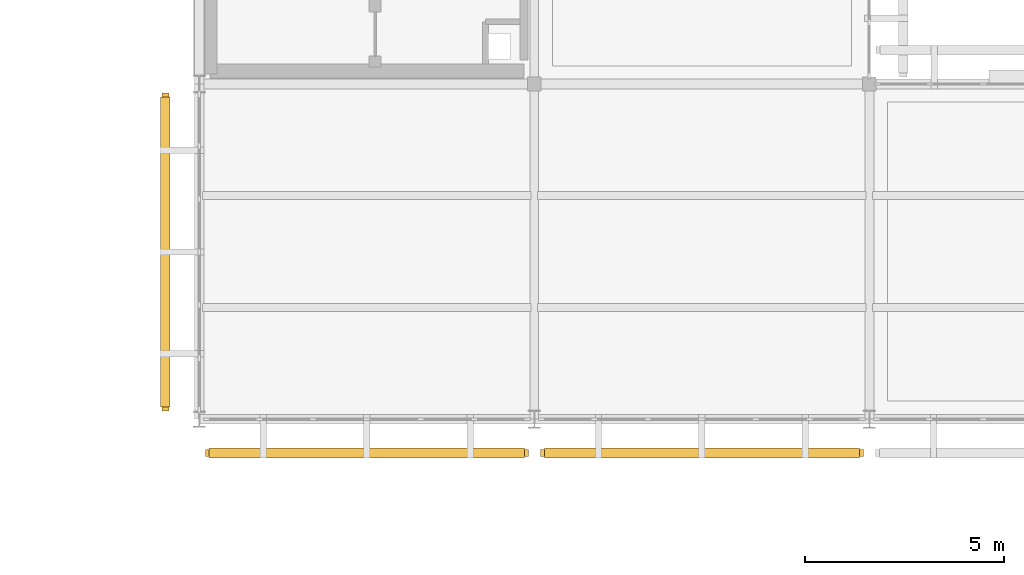
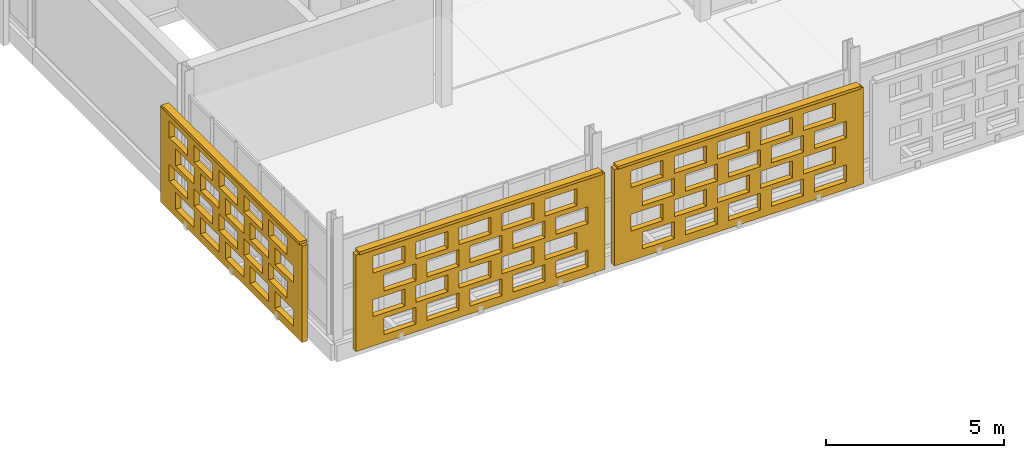
# One storey, part 109 of 140: 3 coverings, 3 shading devices, 60 openings.
"""IFC4 building model written with IfcOpenShell, lengths in metres."""

from ifc_helpers import new_model, si_unit, direction, frame, frame_2d, origin, origin_2d, place, context, subcontext, project, spatial, rectangle, extrude, material, layer, layer_set, type_object, element, save


model = new_model("IFC4")

# Units and contexts
model_context = context("Model", 3, precision=1e-05, world=origin(), true_north=direction((0.0, 1.0)))
body_context = subcontext(model_context, "Body", "Model", "MODEL_VIEW")
ifc_project = project(units=[si_unit("LENGTHUNIT", "METRE"), si_unit("AREAUNIT", "SQUARE_METRE"), si_unit("VOLUMEUNIT", "CUBIC_METRE"), si_unit("PLANEANGLEUNIT", "RADIAN"), si_unit("MASSUNIT", "GRAM", prefix="KILO")], contexts=[model_context])

# Site, building, storey
site_placement = place(None, origin())
site = spatial("IfcSite", under=ifc_project, at=site_placement, CompositionType="ELEMENT")
building_placement = place(site_placement, origin())
building = spatial("IfcBuilding", under=site, at=building_placement, Name="Varnapada Polytechnic", CompositionType="ELEMENT")
storey_placement = place(building_placement, frame((0.0, 0.0, 13.800048828125)))
storey = spatial("IfcBuildingStorey", under=building, at=storey_placement, Name="L03", CompositionType="ELEMENT", Elevation=13.800048828125)

# Covering, openings
ifc_material = material(Name="Earth-toned architectural terracotta screen block", Category="masonry")
ifc_layer_1 = layer(ifc_material, 0.1201171875)
ifc_layer_set_1 = layer_set([ifc_layer_1], Name="Earth-toned architectural terracotta screen block")
covering_type = type_object("IfcCoveringType", Name="Terracotta Screen Cladding CLD-01", PredefinedType="CLADDING", material=ifc_layer_set_1)
covering_1_placement = place(storey_placement, frame((58.64990234375, 83.14990234375, 0.0), z_axis=(0.0, 0.0, 1.0), x_axis=(-1.0, 0.0, 0.0)))
covering_1 = element("IfcCovering", 1, at=covering_1_placement, inside=storey, type_object=covering_type, Name="L03 perforated terracotta block screen (41)", PredefinedType="CLADDING", context=body_context, shape_type="SweptSolid", body=[
    extrude(rectangle(XDim=8.099853515625, YDim=0.179931640625, at=frame_2d((4.0498046875, 0.0))), origin(), (0.0, 0.0, 1.0), 3.320068359375),
])
opening_1_placement = place(covering_1_placement, frame((0.550048828125, 0.0, 0.265625)))
element("IfcOpeningElement", 2, at=opening_1_placement, cuts=covering_1, Name="Screen perforation TBS-L03-040.1", PredefinedType="OPENING", context=body_context, shape_type="SweptSolid", body=[
    extrude(rectangle(XDim=1.0400390625, YDim=0.5810546875, at=frame_2d((0.52001953125, 0.29052734375))), frame((0.0, 0.099853515625, 0.0), z_axis=(0.0, -1.0, 0.0), x_axis=(1.0, 0.0, 0.0)), (0.0, 0.0, 1.0), 0.199951171875),
])
opening_2_placement = place(covering_1_placement, frame((1.949951171875, 0.0, 0.265625)))
element("IfcOpeningElement", 3, at=opening_2_placement, cuts=covering_1, Name="Screen perforation TBS-L03-040.2", PredefinedType="OPENING", context=body_context, shape_type="SweptSolid", body=[
    extrude(rectangle(XDim=1.0400390625, YDim=0.5810546875, at=frame_2d((0.52001953125, 0.29052734375))), frame((0.0, 0.099853515625, 0.0), z_axis=(0.0, -1.0, 0.0), x_axis=(1.0, 0.0, 0.0)), (0.0, 0.0, 1.0), 0.199951171875),
])
opening_3_placement = place(covering_1_placement, frame((3.35009765625, 0.0, 0.265625)))
element("IfcOpeningElement", 4, at=opening_3_placement, cuts=covering_1, Name="Screen perforation TBS-L03-040.3", PredefinedType="OPENING", context=body_context, shape_type="SweptSolid", body=[
    extrude(rectangle(XDim=1.0400390625, YDim=0.5810546875, at=frame_2d((0.52001953125, 0.29052734375))), frame((0.0, 0.099853515625, 0.0), z_axis=(0.0, -1.0, 0.0), x_axis=(1.0, 0.0, 0.0)), (0.0, 0.0, 1.0), 0.199951171875),
])
opening_4_placement = place(covering_1_placement, frame((4.75, 0.0, 0.265625)))
element("IfcOpeningElement", 5, at=opening_4_placement, cuts=covering_1, Name="Screen perforation TBS-L03-040.4", PredefinedType="OPENING", context=body_context, shape_type="SweptSolid", body=[
    extrude(rectangle(XDim=1.0400390625, YDim=0.5810546875, at=frame_2d((0.52001953125, 0.29052734375))), frame((0.0, 0.099853515625, 0.0), z_axis=(0.0, -1.0, 0.0), x_axis=(1.0, 0.0, 0.0)), (0.0, 0.0, 1.0), 0.199951171875),
])
opening_5_placement = place(covering_1_placement, frame((6.14990234375, 0.0, 0.265625)))
element("IfcOpeningElement", 6, at=opening_5_placement, cuts=covering_1, Name="Screen perforation TBS-L03-040.5", PredefinedType="OPENING", context=body_context, shape_type="SweptSolid", body=[
    extrude(rectangle(XDim=1.0400390625, YDim=0.5810546875, at=frame_2d((0.52001953125, 0.29052734375))), frame((0.0, 0.099853515625, 0.0), z_axis=(0.0, -1.0, 0.0), x_axis=(1.0, 0.0, 0.0)), (0.0, 0.0, 1.0), 0.199951171875),
])
opening_6_placement = place(covering_1_placement, frame((0.909912109375, 0.0, 1.0126953125)))
element("IfcOpeningElement", 7, at=opening_6_placement, cuts=covering_1, Name="Screen perforation TBS-L03-040.6", PredefinedType="OPENING", context=body_context, shape_type="SweptSolid", body=[
    extrude(rectangle(XDim=1.0400390625, YDim=0.5810546875, at=frame_2d((0.52001953125, 0.29052734375))), frame((0.0, 0.099853515625, 0.0), z_axis=(0.0, -1.0, 0.0), x_axis=(1.0, 0.0, 0.0)), (0.0, 0.0, 1.0), 0.199951171875),
])
opening_7_placement = place(covering_1_placement, frame((2.31005859375, 0.0, 1.0126953125)))
element("IfcOpeningElement", 8, at=opening_7_placement, cuts=covering_1, Name="Screen perforation TBS-L03-040.7", PredefinedType="OPENING", context=body_context, shape_type="SweptSolid", body=[
    extrude(rectangle(XDim=1.0400390625, YDim=0.5810546875, at=frame_2d((0.52001953125, 0.29052734375))), frame((0.0, 0.099853515625, 0.0), z_axis=(0.0, -1.0, 0.0), x_axis=(1.0, 0.0, 0.0)), (0.0, 0.0, 1.0), 0.199951171875),
])
opening_8_placement = place(covering_1_placement, frame((3.7099609375, 0.0, 1.0126953125)))
element("IfcOpeningElement", 9, at=opening_8_placement, cuts=covering_1, Name="Screen perforation TBS-L03-040.8", PredefinedType="OPENING", context=body_context, shape_type="SweptSolid", body=[
    extrude(rectangle(XDim=1.0400390625, YDim=0.5810546875, at=frame_2d((0.52001953125, 0.29052734375))), frame((0.0, 0.099853515625, 0.0), z_axis=(0.0, -1.0, 0.0), x_axis=(1.0, 0.0, 0.0)), (0.0, 0.0, 1.0), 0.199951171875),
])
opening_9_placement = place(covering_1_placement, frame((5.110107421875, 0.0, 1.0126953125)))
element("IfcOpeningElement", 10, at=opening_9_placement, cuts=covering_1, Name="Screen perforation TBS-L03-040.9", PredefinedType="OPENING", context=body_context, shape_type="SweptSolid", body=[
    extrude(rectangle(XDim=1.0400390625, YDim=0.5810546875, at=frame_2d((0.52001953125, 0.29052734375))), frame((0.0, 0.099853515625, 0.0), z_axis=(0.0, -1.0, 0.0), x_axis=(1.0, 0.0, 0.0)), (0.0, 0.0, 1.0), 0.199951171875),
])
opening_10_placement = place(covering_1_placement, frame((6.510009765625, 0.0, 1.0126953125)))
element("IfcOpeningElement", 11, at=opening_10_placement, cuts=covering_1, Name="Screen perforation TBS-L03-040.10", PredefinedType="OPENING", context=body_context, shape_type="SweptSolid", body=[
    extrude(rectangle(XDim=1.0400390625, YDim=0.5810546875, at=frame_2d((0.52001953125, 0.29052734375))), frame((0.0, 0.099853515625, 0.0), z_axis=(0.0, -1.0, 0.0), x_axis=(1.0, 0.0, 0.0)), (0.0, 0.0, 1.0), 0.199951171875),
])
opening_11_placement = place(covering_1_placement, frame((0.550048828125, 0.0, 1.759521484375)))
element("IfcOpeningElement", 12, at=opening_11_placement, cuts=covering_1, Name="Screen perforation TBS-L03-040.11", PredefinedType="OPENING", context=body_context, shape_type="SweptSolid", body=[
    extrude(rectangle(XDim=1.0400390625, YDim=0.5810546875, at=frame_2d((0.52001953125, 0.29052734375))), frame((0.0, 0.099853515625, 0.0), z_axis=(0.0, -1.0, 0.0), x_axis=(1.0, 0.0, 0.0)), (0.0, 0.0, 1.0), 0.199951171875),
])
opening_12_placement = place(covering_1_placement, frame((1.949951171875, 0.0, 1.759521484375)))
element("IfcOpeningElement", 13, at=opening_12_placement, cuts=covering_1, Name="Screen perforation TBS-L03-040.12", PredefinedType="OPENING", context=body_context, shape_type="SweptSolid", body=[
    extrude(rectangle(XDim=1.0400390625, YDim=0.5810546875, at=frame_2d((0.52001953125, 0.29052734375))), frame((0.0, 0.099853515625, 0.0), z_axis=(0.0, -1.0, 0.0), x_axis=(1.0, 0.0, 0.0)), (0.0, 0.0, 1.0), 0.199951171875),
])
opening_13_placement = place(covering_1_placement, frame((3.35009765625, 0.0, 1.759521484375)))
element("IfcOpeningElement", 14, at=opening_13_placement, cuts=covering_1, Name="Screen perforation TBS-L03-040.13", PredefinedType="OPENING", context=body_context, shape_type="SweptSolid", body=[
    extrude(rectangle(XDim=1.0400390625, YDim=0.5810546875, at=frame_2d((0.52001953125, 0.29052734375))), frame((0.0, 0.099853515625, 0.0), z_axis=(0.0, -1.0, 0.0), x_axis=(1.0, 0.0, 0.0)), (0.0, 0.0, 1.0), 0.199951171875),
])
opening_14_placement = place(covering_1_placement, frame((4.75, 0.0, 1.759521484375)))
element("IfcOpeningElement", 15, at=opening_14_placement, cuts=covering_1, Name="Screen perforation TBS-L03-040.14", PredefinedType="OPENING", context=body_context, shape_type="SweptSolid", body=[
    extrude(rectangle(XDim=1.0400390625, YDim=0.5810546875, at=frame_2d((0.52001953125, 0.29052734375))), frame((0.0, 0.099853515625, 0.0), z_axis=(0.0, -1.0, 0.0), x_axis=(1.0, 0.0, 0.0)), (0.0, 0.0, 1.0), 0.199951171875),
])
opening_15_placement = place(covering_1_placement, frame((6.14990234375, 0.0, 1.759521484375)))
element("IfcOpeningElement", 16, at=opening_15_placement, cuts=covering_1, Name="Screen perforation TBS-L03-040.15", PredefinedType="OPENING", context=body_context, shape_type="SweptSolid", body=[
    extrude(rectangle(XDim=1.0400390625, YDim=0.5810546875, at=frame_2d((0.52001953125, 0.29052734375))), frame((0.0, 0.099853515625, 0.0), z_axis=(0.0, -1.0, 0.0), x_axis=(1.0, 0.0, 0.0)), (0.0, 0.0, 1.0), 0.199951171875),
])
opening_16_placement = place(covering_1_placement, frame((0.909912109375, 0.0, 2.506591796875)))
element("IfcOpeningElement", 17, at=opening_16_placement, cuts=covering_1, Name="Screen perforation TBS-L03-040.16", PredefinedType="OPENING", context=body_context, shape_type="SweptSolid", body=[
    extrude(rectangle(XDim=1.0400390625, YDim=0.5810546875, at=frame_2d((0.52001953125, 0.29052734375))), frame((0.0, 0.099853515625, 0.0), z_axis=(0.0, -1.0, 0.0), x_axis=(1.0, 0.0, 0.0)), (0.0, 0.0, 1.0), 0.199951171875),
])
opening_17_placement = place(covering_1_placement, frame((2.31005859375, 0.0, 2.506591796875)))
element("IfcOpeningElement", 18, at=opening_17_placement, cuts=covering_1, Name="Screen perforation TBS-L03-040.17", PredefinedType="OPENING", context=body_context, shape_type="SweptSolid", body=[
    extrude(rectangle(XDim=1.0400390625, YDim=0.5810546875, at=frame_2d((0.52001953125, 0.29052734375))), frame((0.0, 0.099853515625, 0.0), z_axis=(0.0, -1.0, 0.0), x_axis=(1.0, 0.0, 0.0)), (0.0, 0.0, 1.0), 0.199951171875),
])
opening_18_placement = place(covering_1_placement, frame((3.7099609375, 0.0, 2.506591796875)))
element("IfcOpeningElement", 19, at=opening_18_placement, cuts=covering_1, Name="Screen perforation TBS-L03-040.18", PredefinedType="OPENING", context=body_context, shape_type="SweptSolid", body=[
    extrude(rectangle(XDim=1.0400390625, YDim=0.5810546875, at=frame_2d((0.52001953125, 0.29052734375))), frame((0.0, 0.099853515625, 0.0), z_axis=(0.0, -1.0, 0.0), x_axis=(1.0, 0.0, 0.0)), (0.0, 0.0, 1.0), 0.199951171875),
])
opening_19_placement = place(covering_1_placement, frame((5.110107421875, 0.0, 2.506591796875)))
element("IfcOpeningElement", 20, at=opening_19_placement, cuts=covering_1, Name="Screen perforation TBS-L03-040.19", PredefinedType="OPENING", context=body_context, shape_type="SweptSolid", body=[
    extrude(rectangle(XDim=1.0400390625, YDim=0.5810546875, at=frame_2d((0.52001953125, 0.29052734375))), frame((0.0, 0.099853515625, 0.0), z_axis=(0.0, -1.0, 0.0), x_axis=(1.0, 0.0, 0.0)), (0.0, 0.0, 1.0), 0.199951171875),
])
opening_20_placement = place(covering_1_placement, frame((6.510009765625, 0.0, 2.506591796875)))
element("IfcOpeningElement", 21, at=opening_20_placement, cuts=covering_1, Name="Screen perforation TBS-L03-040.20", PredefinedType="OPENING", context=body_context, shape_type="SweptSolid", body=[
    extrude(rectangle(XDim=1.0400390625, YDim=0.5810546875, at=frame_2d((0.52001953125, 0.29052734375))), frame((0.0, 0.099853515625, 0.0), z_axis=(0.0, -1.0, 0.0), x_axis=(1.0, 0.0, 0.0)), (0.0, 0.0, 1.0), 0.199951171875),
])

covering_2_placement = place(storey_placement, frame((49.550048828125, 84.199951171875, 0.0), z_axis=(0.0, 0.0, 1.0), x_axis=(0.0, 1.0, 0.0)))
covering_2 = element("IfcCovering", 22, at=covering_2_placement, inside=storey, type_object=covering_type, Name="L03 perforated terracotta block screen (42)", PredefinedType="CLADDING", context=body_context, shape_type="SweptSolid", body=[
    extrude(rectangle(XDim=7.97509765625, YDim=0.179931640625, at=frame_2d((3.987548828125, 0.0))), origin(), (0.0, 0.0, 1.0), 3.320068359375),
])
opening_21_placement = place(covering_2_placement, frame((0.487548828125, 0.0, 0.265625)))
element("IfcOpeningElement", 23, at=opening_21_placement, cuts=covering_2, Name="Screen perforation TBS-L03-041.1", PredefinedType="OPENING", context=body_context, shape_type="SweptSolid", body=[
    extrude(rectangle(XDim=1.0400390625, YDim=0.5810546875, at=frame_2d((0.52001953125, 0.29052734375))), frame((0.0, 0.099853515625, 0.0), z_axis=(0.0, -1.0, 0.0), x_axis=(1.0, 0.0, 0.0)), (0.0, 0.0, 1.0), 0.199951171875),
])
opening_22_placement = place(covering_2_placement, frame((1.887451171875, 0.0, 0.265625)))
element("IfcOpeningElement", 24, at=opening_22_placement, cuts=covering_2, Name="Screen perforation TBS-L03-041.2", PredefinedType="OPENING", context=body_context, shape_type="SweptSolid", body=[
    extrude(rectangle(XDim=1.0400390625, YDim=0.5810546875, at=frame_2d((0.52001953125, 0.29052734375))), frame((0.0, 0.099853515625, 0.0), z_axis=(0.0, -1.0, 0.0), x_axis=(1.0, 0.0, 0.0)), (0.0, 0.0, 1.0), 0.199951171875),
])
opening_23_placement = place(covering_2_placement, frame((3.28759765625, 0.0, 0.265625)))
element("IfcOpeningElement", 25, at=opening_23_placement, cuts=covering_2, Name="Screen perforation TBS-L03-041.3", PredefinedType="OPENING", context=body_context, shape_type="SweptSolid", body=[
    extrude(rectangle(XDim=1.0400390625, YDim=0.5810546875, at=frame_2d((0.52001953125, 0.29052734375))), frame((0.0, 0.099853515625, 0.0), z_axis=(0.0, -1.0, 0.0), x_axis=(1.0, 0.0, 0.0)), (0.0, 0.0, 1.0), 0.199951171875),
])
opening_24_placement = place(covering_2_placement, frame((4.6875, 0.0, 0.265625)))
element("IfcOpeningElement", 26, at=opening_24_placement, cuts=covering_2, Name="Screen perforation TBS-L03-041.4", PredefinedType="OPENING", context=body_context, shape_type="SweptSolid", body=[
    extrude(rectangle(XDim=1.0400390625, YDim=0.5810546875, at=frame_2d((0.52001953125, 0.29052734375))), frame((0.0, 0.099853515625, 0.0), z_axis=(0.0, -1.0, 0.0), x_axis=(1.0, 0.0, 0.0)), (0.0, 0.0, 1.0), 0.199951171875),
])
opening_25_placement = place(covering_2_placement, frame((6.08740234375, 0.0, 0.265625)))
element("IfcOpeningElement", 27, at=opening_25_placement, cuts=covering_2, Name="Screen perforation TBS-L03-041.5", PredefinedType="OPENING", context=body_context, shape_type="SweptSolid", body=[
    extrude(rectangle(XDim=1.0400390625, YDim=0.5810546875, at=frame_2d((0.52001953125, 0.29052734375))), frame((0.0, 0.099853515625, 0.0), z_axis=(0.0, -1.0, 0.0), x_axis=(1.0, 0.0, 0.0)), (0.0, 0.0, 1.0), 0.199951171875),
])
opening_26_placement = place(covering_2_placement, frame((0.847412109375, 0.0, 1.0126953125)))
element("IfcOpeningElement", 28, at=opening_26_placement, cuts=covering_2, Name="Screen perforation TBS-L03-041.6", PredefinedType="OPENING", context=body_context, shape_type="SweptSolid", body=[
    extrude(rectangle(XDim=1.0400390625, YDim=0.5810546875, at=frame_2d((0.52001953125, 0.29052734375))), frame((0.0, 0.099853515625, 0.0), z_axis=(0.0, -1.0, 0.0), x_axis=(1.0, 0.0, 0.0)), (0.0, 0.0, 1.0), 0.199951171875),
])
opening_27_placement = place(covering_2_placement, frame((2.24755859375, 0.0, 1.0126953125)))
element("IfcOpeningElement", 29, at=opening_27_placement, cuts=covering_2, Name="Screen perforation TBS-L03-041.7", PredefinedType="OPENING", context=body_context, shape_type="SweptSolid", body=[
    extrude(rectangle(XDim=1.0400390625, YDim=0.5810546875, at=frame_2d((0.52001953125, 0.29052734375))), frame((0.0, 0.099853515625, 0.0), z_axis=(0.0, -1.0, 0.0), x_axis=(1.0, 0.0, 0.0)), (0.0, 0.0, 1.0), 0.199951171875),
])
opening_28_placement = place(covering_2_placement, frame((3.6474609375, 0.0, 1.0126953125)))
element("IfcOpeningElement", 30, at=opening_28_placement, cuts=covering_2, Name="Screen perforation TBS-L03-041.8", PredefinedType="OPENING", context=body_context, shape_type="SweptSolid", body=[
    extrude(rectangle(XDim=1.0400390625, YDim=0.5810546875, at=frame_2d((0.52001953125, 0.29052734375))), frame((0.0, 0.099853515625, 0.0), z_axis=(0.0, -1.0, 0.0), x_axis=(1.0, 0.0, 0.0)), (0.0, 0.0, 1.0), 0.199951171875),
])
opening_29_placement = place(covering_2_placement, frame((5.047607421875, 0.0, 1.0126953125)))
element("IfcOpeningElement", 31, at=opening_29_placement, cuts=covering_2, Name="Screen perforation TBS-L03-041.9", PredefinedType="OPENING", context=body_context, shape_type="SweptSolid", body=[
    extrude(rectangle(XDim=1.0400390625, YDim=0.5810546875, at=frame_2d((0.52001953125, 0.29052734375))), frame((0.0, 0.099853515625, 0.0), z_axis=(0.0, -1.0, 0.0), x_axis=(1.0, 0.0, 0.0)), (0.0, 0.0, 1.0), 0.199951171875),
])
opening_30_placement = place(covering_2_placement, frame((6.447509765625, 0.0, 1.0126953125)))
element("IfcOpeningElement", 32, at=opening_30_placement, cuts=covering_2, Name="Screen perforation TBS-L03-041.10", PredefinedType="OPENING", context=body_context, shape_type="SweptSolid", body=[
    extrude(rectangle(XDim=1.0400390625, YDim=0.5810546875, at=frame_2d((0.52001953125, 0.29052734375))), frame((0.0, 0.099853515625, 0.0), z_axis=(0.0, -1.0, 0.0), x_axis=(1.0, 0.0, 0.0)), (0.0, 0.0, 1.0), 0.199951171875),
])
opening_31_placement = place(covering_2_placement, frame((0.487548828125, 0.0, 1.759521484375)))
element("IfcOpeningElement", 33, at=opening_31_placement, cuts=covering_2, Name="Screen perforation TBS-L03-041.11", PredefinedType="OPENING", context=body_context, shape_type="SweptSolid", body=[
    extrude(rectangle(XDim=1.0400390625, YDim=0.5810546875, at=frame_2d((0.52001953125, 0.29052734375))), frame((0.0, 0.099853515625, 0.0), z_axis=(0.0, -1.0, 0.0), x_axis=(1.0, 0.0, 0.0)), (0.0, 0.0, 1.0), 0.199951171875),
])
opening_32_placement = place(covering_2_placement, frame((1.887451171875, 0.0, 1.759521484375)))
element("IfcOpeningElement", 34, at=opening_32_placement, cuts=covering_2, Name="Screen perforation TBS-L03-041.12", PredefinedType="OPENING", context=body_context, shape_type="SweptSolid", body=[
    extrude(rectangle(XDim=1.0400390625, YDim=0.5810546875, at=frame_2d((0.52001953125, 0.29052734375))), frame((0.0, 0.099853515625, 0.0), z_axis=(0.0, -1.0, 0.0), x_axis=(1.0, 0.0, 0.0)), (0.0, 0.0, 1.0), 0.199951171875),
])
opening_33_placement = place(covering_2_placement, frame((3.28759765625, 0.0, 1.759521484375)))
element("IfcOpeningElement", 35, at=opening_33_placement, cuts=covering_2, Name="Screen perforation TBS-L03-041.13", PredefinedType="OPENING", context=body_context, shape_type="SweptSolid", body=[
    extrude(rectangle(XDim=1.0400390625, YDim=0.5810546875, at=frame_2d((0.52001953125, 0.29052734375))), frame((0.0, 0.099853515625, 0.0), z_axis=(0.0, -1.0, 0.0), x_axis=(1.0, 0.0, 0.0)), (0.0, 0.0, 1.0), 0.199951171875),
])
opening_34_placement = place(covering_2_placement, frame((4.6875, 0.0, 1.759521484375)))
element("IfcOpeningElement", 36, at=opening_34_placement, cuts=covering_2, Name="Screen perforation TBS-L03-041.14", PredefinedType="OPENING", context=body_context, shape_type="SweptSolid", body=[
    extrude(rectangle(XDim=1.0400390625, YDim=0.5810546875, at=frame_2d((0.52001953125, 0.29052734375))), frame((0.0, 0.099853515625, 0.0), z_axis=(0.0, -1.0, 0.0), x_axis=(1.0, 0.0, 0.0)), (0.0, 0.0, 1.0), 0.199951171875),
])
opening_35_placement = place(covering_2_placement, frame((6.08740234375, 0.0, 1.759521484375)))
element("IfcOpeningElement", 37, at=opening_35_placement, cuts=covering_2, Name="Screen perforation TBS-L03-041.15", PredefinedType="OPENING", context=body_context, shape_type="SweptSolid", body=[
    extrude(rectangle(XDim=1.0400390625, YDim=0.5810546875, at=frame_2d((0.52001953125, 0.29052734375))), frame((0.0, 0.099853515625, 0.0), z_axis=(0.0, -1.0, 0.0), x_axis=(1.0, 0.0, 0.0)), (0.0, 0.0, 1.0), 0.199951171875),
])
opening_36_placement = place(covering_2_placement, frame((0.847412109375, 0.0, 2.506591796875)))
element("IfcOpeningElement", 38, at=opening_36_placement, cuts=covering_2, Name="Screen perforation TBS-L03-041.16", PredefinedType="OPENING", context=body_context, shape_type="SweptSolid", body=[
    extrude(rectangle(XDim=1.0400390625, YDim=0.5810546875, at=frame_2d((0.52001953125, 0.29052734375))), frame((0.0, 0.099853515625, 0.0), z_axis=(0.0, -1.0, 0.0), x_axis=(1.0, 0.0, 0.0)), (0.0, 0.0, 1.0), 0.199951171875),
])
opening_37_placement = place(covering_2_placement, frame((2.24755859375, 0.0, 2.506591796875)))
element("IfcOpeningElement", 39, at=opening_37_placement, cuts=covering_2, Name="Screen perforation TBS-L03-041.17", PredefinedType="OPENING", context=body_context, shape_type="SweptSolid", body=[
    extrude(rectangle(XDim=1.0400390625, YDim=0.5810546875, at=frame_2d((0.52001953125, 0.29052734375))), frame((0.0, 0.099853515625, 0.0), z_axis=(0.0, -1.0, 0.0), x_axis=(1.0, 0.0, 0.0)), (0.0, 0.0, 1.0), 0.199951171875),
])
opening_38_placement = place(covering_2_placement, frame((3.6474609375, 0.0, 2.506591796875)))
element("IfcOpeningElement", 40, at=opening_38_placement, cuts=covering_2, Name="Screen perforation TBS-L03-041.18", PredefinedType="OPENING", context=body_context, shape_type="SweptSolid", body=[
    extrude(rectangle(XDim=1.0400390625, YDim=0.5810546875, at=frame_2d((0.52001953125, 0.29052734375))), frame((0.0, 0.099853515625, 0.0), z_axis=(0.0, -1.0, 0.0), x_axis=(1.0, 0.0, 0.0)), (0.0, 0.0, 1.0), 0.199951171875),
])
opening_39_placement = place(covering_2_placement, frame((5.047607421875, 0.0, 2.506591796875)))
element("IfcOpeningElement", 41, at=opening_39_placement, cuts=covering_2, Name="Screen perforation TBS-L03-041.19", PredefinedType="OPENING", context=body_context, shape_type="SweptSolid", body=[
    extrude(rectangle(XDim=1.0400390625, YDim=0.5810546875, at=frame_2d((0.52001953125, 0.29052734375))), frame((0.0, 0.099853515625, 0.0), z_axis=(0.0, -1.0, 0.0), x_axis=(1.0, 0.0, 0.0)), (0.0, 0.0, 1.0), 0.199951171875),
])
opening_40_placement = place(covering_2_placement, frame((6.447509765625, 0.0, 2.506591796875)))
element("IfcOpeningElement", 42, at=opening_40_placement, cuts=covering_2, Name="Screen perforation TBS-L03-041.20", PredefinedType="OPENING", context=body_context, shape_type="SweptSolid", body=[
    extrude(rectangle(XDim=1.0400390625, YDim=0.5810546875, at=frame_2d((0.52001953125, 0.29052734375))), frame((0.0, 0.099853515625, 0.0), z_axis=(0.0, -1.0, 0.0), x_axis=(1.0, 0.0, 0.0)), (0.0, 0.0, 1.0), 0.199951171875),
])

covering_3_placement = place(storey_placement, frame((67.050048828125, 83.14990234375, 0.0), z_axis=(0.0, 0.0, 1.0), x_axis=(-1.0, 0.0, 0.0)))
covering_3 = element("IfcCovering", 43, at=covering_3_placement, inside=storey, type_object=covering_type, Name="L03 perforated terracotta block screen (48)", PredefinedType="CLADDING", context=body_context, shape_type="SweptSolid", body=[
    extrude(rectangle(XDim=8.10009765625, YDim=0.179931640625, at=frame_2d((4.050048828125, 0.0))), origin(), (0.0, 0.0, 1.0), 3.320068359375),
])
opening_41_placement = place(covering_3_placement, frame((0.550048828125, 0.0, 0.265625)))
element("IfcOpeningElement", 44, at=opening_41_placement, cuts=covering_3, Name="Screen perforation TBS-L03-047.1", PredefinedType="OPENING", context=body_context, shape_type="SweptSolid", body=[
    extrude(rectangle(XDim=1.0400390625, YDim=0.5810546875, at=frame_2d((0.52001953125, 0.29052734375))), frame((0.0, 0.099853515625, 0.0), z_axis=(0.0, -1.0, 0.0), x_axis=(1.0, 0.0, 0.0)), (0.0, 0.0, 1.0), 0.199951171875),
])
opening_42_placement = place(covering_3_placement, frame((1.949951171875, 0.0, 0.265625)))
element("IfcOpeningElement", 45, at=opening_42_placement, cuts=covering_3, Name="Screen perforation TBS-L03-047.2", PredefinedType="OPENING", context=body_context, shape_type="SweptSolid", body=[
    extrude(rectangle(XDim=1.0400390625, YDim=0.5810546875, at=frame_2d((0.52001953125, 0.29052734375))), frame((0.0, 0.099853515625, 0.0), z_axis=(0.0, -1.0, 0.0), x_axis=(1.0, 0.0, 0.0)), (0.0, 0.0, 1.0), 0.199951171875),
])
opening_43_placement = place(covering_3_placement, frame((3.35009765625, 0.0, 0.265625)))
element("IfcOpeningElement", 46, at=opening_43_placement, cuts=covering_3, Name="Screen perforation TBS-L03-047.3", PredefinedType="OPENING", context=body_context, shape_type="SweptSolid", body=[
    extrude(rectangle(XDim=1.0400390625, YDim=0.5810546875, at=frame_2d((0.52001953125, 0.29052734375))), frame((0.0, 0.099853515625, 0.0), z_axis=(0.0, -1.0, 0.0), x_axis=(1.0, 0.0, 0.0)), (0.0, 0.0, 1.0), 0.199951171875),
])
opening_44_placement = place(covering_3_placement, frame((4.75, 0.0, 0.265625)))
element("IfcOpeningElement", 47, at=opening_44_placement, cuts=covering_3, Name="Screen perforation TBS-L03-047.4", PredefinedType="OPENING", context=body_context, shape_type="SweptSolid", body=[
    extrude(rectangle(XDim=1.0400390625, YDim=0.5810546875, at=frame_2d((0.52001953125, 0.29052734375))), frame((0.0, 0.099853515625, 0.0), z_axis=(0.0, -1.0, 0.0), x_axis=(1.0, 0.0, 0.0)), (0.0, 0.0, 1.0), 0.199951171875),
])
opening_45_placement = place(covering_3_placement, frame((6.14990234375, 0.0, 0.265625)))
element("IfcOpeningElement", 48, at=opening_45_placement, cuts=covering_3, Name="Screen perforation TBS-L03-047.5", PredefinedType="OPENING", context=body_context, shape_type="SweptSolid", body=[
    extrude(rectangle(XDim=1.0400390625, YDim=0.5810546875, at=frame_2d((0.52001953125, 0.29052734375))), frame((0.0, 0.099853515625, 0.0), z_axis=(0.0, -1.0, 0.0), x_axis=(1.0, 0.0, 0.0)), (0.0, 0.0, 1.0), 0.199951171875),
])
opening_46_placement = place(covering_3_placement, frame((0.909912109375, 0.0, 1.0126953125)))
element("IfcOpeningElement", 49, at=opening_46_placement, cuts=covering_3, Name="Screen perforation TBS-L03-047.6", PredefinedType="OPENING", context=body_context, shape_type="SweptSolid", body=[
    extrude(rectangle(XDim=1.0400390625, YDim=0.5810546875, at=frame_2d((0.52001953125, 0.29052734375))), frame((0.0, 0.099853515625, 0.0), z_axis=(0.0, -1.0, 0.0), x_axis=(1.0, 0.0, 0.0)), (0.0, 0.0, 1.0), 0.199951171875),
])
opening_47_placement = place(covering_3_placement, frame((2.31005859375, 0.0, 1.0126953125)))
element("IfcOpeningElement", 50, at=opening_47_placement, cuts=covering_3, Name="Screen perforation TBS-L03-047.7", PredefinedType="OPENING", context=body_context, shape_type="SweptSolid", body=[
    extrude(rectangle(XDim=1.0400390625, YDim=0.5810546875, at=frame_2d((0.52001953125, 0.29052734375))), frame((0.0, 0.099853515625, 0.0), z_axis=(0.0, -1.0, 0.0), x_axis=(1.0, 0.0, 0.0)), (0.0, 0.0, 1.0), 0.199951171875),
])
opening_48_placement = place(covering_3_placement, frame((3.7099609375, 0.0, 1.0126953125)))
element("IfcOpeningElement", 51, at=opening_48_placement, cuts=covering_3, Name="Screen perforation TBS-L03-047.8", PredefinedType="OPENING", context=body_context, shape_type="SweptSolid", body=[
    extrude(rectangle(XDim=1.0400390625, YDim=0.5810546875, at=frame_2d((0.52001953125, 0.29052734375))), frame((0.0, 0.099853515625, 0.0), z_axis=(0.0, -1.0, 0.0), x_axis=(1.0, 0.0, 0.0)), (0.0, 0.0, 1.0), 0.199951171875),
])
opening_49_placement = place(covering_3_placement, frame((5.110107421875, 0.0, 1.0126953125)))
element("IfcOpeningElement", 52, at=opening_49_placement, cuts=covering_3, Name="Screen perforation TBS-L03-047.9", PredefinedType="OPENING", context=body_context, shape_type="SweptSolid", body=[
    extrude(rectangle(XDim=1.0400390625, YDim=0.5810546875, at=frame_2d((0.52001953125, 0.29052734375))), frame((0.0, 0.099853515625, 0.0), z_axis=(0.0, -1.0, 0.0), x_axis=(1.0, 0.0, 0.0)), (0.0, 0.0, 1.0), 0.199951171875),
])
opening_50_placement = place(covering_3_placement, frame((6.510009765625, 0.0, 1.0126953125)))
element("IfcOpeningElement", 53, at=opening_50_placement, cuts=covering_3, Name="Screen perforation TBS-L03-047.10", PredefinedType="OPENING", context=body_context, shape_type="SweptSolid", body=[
    extrude(rectangle(XDim=1.0400390625, YDim=0.5810546875, at=frame_2d((0.52001953125, 0.29052734375))), frame((0.0, 0.099853515625, 0.0), z_axis=(0.0, -1.0, 0.0), x_axis=(1.0, 0.0, 0.0)), (0.0, 0.0, 1.0), 0.199951171875),
])
opening_51_placement = place(covering_3_placement, frame((0.550048828125, 0.0, 1.759521484375)))
element("IfcOpeningElement", 54, at=opening_51_placement, cuts=covering_3, Name="Screen perforation TBS-L03-047.11", PredefinedType="OPENING", context=body_context, shape_type="SweptSolid", body=[
    extrude(rectangle(XDim=1.0400390625, YDim=0.5810546875, at=frame_2d((0.52001953125, 0.29052734375))), frame((0.0, 0.099853515625, 0.0), z_axis=(0.0, -1.0, 0.0), x_axis=(1.0, 0.0, 0.0)), (0.0, 0.0, 1.0), 0.199951171875),
])
opening_52_placement = place(covering_3_placement, frame((1.949951171875, 0.0, 1.759521484375)))
element("IfcOpeningElement", 55, at=opening_52_placement, cuts=covering_3, Name="Screen perforation TBS-L03-047.12", PredefinedType="OPENING", context=body_context, shape_type="SweptSolid", body=[
    extrude(rectangle(XDim=1.0400390625, YDim=0.5810546875, at=frame_2d((0.52001953125, 0.29052734375))), frame((0.0, 0.099853515625, 0.0), z_axis=(0.0, -1.0, 0.0), x_axis=(1.0, 0.0, 0.0)), (0.0, 0.0, 1.0), 0.199951171875),
])
opening_53_placement = place(covering_3_placement, frame((3.35009765625, 0.0, 1.759521484375)))
element("IfcOpeningElement", 56, at=opening_53_placement, cuts=covering_3, Name="Screen perforation TBS-L03-047.13", PredefinedType="OPENING", context=body_context, shape_type="SweptSolid", body=[
    extrude(rectangle(XDim=1.0400390625, YDim=0.5810546875, at=frame_2d((0.52001953125, 0.29052734375))), frame((0.0, 0.099853515625, 0.0), z_axis=(0.0, -1.0, 0.0), x_axis=(1.0, 0.0, 0.0)), (0.0, 0.0, 1.0), 0.199951171875),
])
opening_54_placement = place(covering_3_placement, frame((4.75, 0.0, 1.759521484375)))
element("IfcOpeningElement", 57, at=opening_54_placement, cuts=covering_3, Name="Screen perforation TBS-L03-047.14", PredefinedType="OPENING", context=body_context, shape_type="SweptSolid", body=[
    extrude(rectangle(XDim=1.0400390625, YDim=0.5810546875, at=frame_2d((0.52001953125, 0.29052734375))), frame((0.0, 0.099853515625, 0.0), z_axis=(0.0, -1.0, 0.0), x_axis=(1.0, 0.0, 0.0)), (0.0, 0.0, 1.0), 0.199951171875),
])
opening_55_placement = place(covering_3_placement, frame((6.14990234375, 0.0, 1.759521484375)))
element("IfcOpeningElement", 58, at=opening_55_placement, cuts=covering_3, Name="Screen perforation TBS-L03-047.15", PredefinedType="OPENING", context=body_context, shape_type="SweptSolid", body=[
    extrude(rectangle(XDim=1.0400390625, YDim=0.5810546875, at=frame_2d((0.52001953125, 0.29052734375))), frame((0.0, 0.099853515625, 0.0), z_axis=(0.0, -1.0, 0.0), x_axis=(1.0, 0.0, 0.0)), (0.0, 0.0, 1.0), 0.199951171875),
])
opening_56_placement = place(covering_3_placement, frame((0.909912109375, 0.0, 2.506591796875)))
element("IfcOpeningElement", 59, at=opening_56_placement, cuts=covering_3, Name="Screen perforation TBS-L03-047.16", PredefinedType="OPENING", context=body_context, shape_type="SweptSolid", body=[
    extrude(rectangle(XDim=1.0400390625, YDim=0.5810546875, at=frame_2d((0.52001953125, 0.29052734375))), frame((0.0, 0.099853515625, 0.0), z_axis=(0.0, -1.0, 0.0), x_axis=(1.0, 0.0, 0.0)), (0.0, 0.0, 1.0), 0.199951171875),
])
opening_57_placement = place(covering_3_placement, frame((2.31005859375, 0.0, 2.506591796875)))
element("IfcOpeningElement", 60, at=opening_57_placement, cuts=covering_3, Name="Screen perforation TBS-L03-047.17", PredefinedType="OPENING", context=body_context, shape_type="SweptSolid", body=[
    extrude(rectangle(XDim=1.0400390625, YDim=0.5810546875, at=frame_2d((0.52001953125, 0.29052734375))), frame((0.0, 0.099853515625, 0.0), z_axis=(0.0, -1.0, 0.0), x_axis=(1.0, 0.0, 0.0)), (0.0, 0.0, 1.0), 0.199951171875),
])
opening_58_placement = place(covering_3_placement, frame((3.7099609375, 0.0, 2.506591796875)))
element("IfcOpeningElement", 61, at=opening_58_placement, cuts=covering_3, Name="Screen perforation TBS-L03-047.18", PredefinedType="OPENING", context=body_context, shape_type="SweptSolid", body=[
    extrude(rectangle(XDim=1.0400390625, YDim=0.5810546875, at=frame_2d((0.52001953125, 0.29052734375))), frame((0.0, 0.099853515625, 0.0), z_axis=(0.0, -1.0, 0.0), x_axis=(1.0, 0.0, 0.0)), (0.0, 0.0, 1.0), 0.199951171875),
])
opening_59_placement = place(covering_3_placement, frame((5.110107421875, 0.0, 2.506591796875)))
element("IfcOpeningElement", 62, at=opening_59_placement, cuts=covering_3, Name="Screen perforation TBS-L03-047.19", PredefinedType="OPENING", context=body_context, shape_type="SweptSolid", body=[
    extrude(rectangle(XDim=1.0400390625, YDim=0.5810546875, at=frame_2d((0.52001953125, 0.29052734375))), frame((0.0, 0.099853515625, 0.0), z_axis=(0.0, -1.0, 0.0), x_axis=(1.0, 0.0, 0.0)), (0.0, 0.0, 1.0), 0.199951171875),
])
opening_60_placement = place(covering_3_placement, frame((6.510009765625, 0.0, 2.506591796875)))
element("IfcOpeningElement", 63, at=opening_60_placement, cuts=covering_3, Name="Screen perforation TBS-L03-047.20", PredefinedType="OPENING", context=body_context, shape_type="SweptSolid", body=[
    extrude(rectangle(XDim=1.0400390625, YDim=0.5810546875, at=frame_2d((0.52001953125, 0.29052734375))), frame((0.0, 0.099853515625, 0.0), z_axis=(0.0, -1.0, 0.0), x_axis=(1.0, 0.0, 0.0)), (0.0, 0.0, 1.0), 0.199951171875),
])

# Shading devices
ifc_layer_2 = layer(ifc_material, 0.179931640625)
ifc_layer_set_2 = layer_set([ifc_layer_2], Name="Earth-toned architectural terracotta screen block")
shading_device_type = type_object("IfcShadingDeviceType", Name="Terracotta Screen SCR-01", PredefinedType="USERDEFINED", material=ifc_layer_set_2)
shading_device_1_placement = place(storey_placement, frame((54.60009765625, 83.14990234375, 3.309814453125), z_axis=(0.0, 0.0, 1.0), x_axis=(-1.0, 0.0, 0.0)))
element("IfcShadingDevice", 64, at=shading_device_1_placement, inside=storey, type_object=shading_device_type, Name="L03 perforated terracotta screen hood 372", ObjectType="SCREEN", PredefinedType="USERDEFINED", context=body_context, shape_type="SweptSolid", body=[
    extrude(rectangle(XDim=7.89990234375, YDim=0.239990234375, at=origin_2d()), origin(), (0.0, 0.0, 1.0), 0.10009765625),
])
shading_device_2_placement = place(storey_placement, frame((49.550048828125, 88.1875, 3.309814453125), z_axis=(0.0, 0.0, 1.0), x_axis=(0.0, 1.0, 0.0)))
element("IfcShadingDevice", 65, at=shading_device_2_placement, inside=storey, type_object=shading_device_type, Name="L03 perforated terracotta screen hood 373", ObjectType="SCREEN", PredefinedType="USERDEFINED", context=body_context, shape_type="SweptSolid", body=[
    extrude(rectangle(XDim=7.77490234375, YDim=0.239990234375, at=origin_2d()), origin(), (0.0, 0.0, 1.0), 0.10009765625),
])
shading_device_3_placement = place(storey_placement, frame((63.0, 83.14990234375, 3.309814453125), z_axis=(0.0, 0.0, 1.0), x_axis=(-1.0, 0.0, 0.0)))
element("IfcShadingDevice", 66, at=shading_device_3_placement, inside=storey, type_object=shading_device_type, Name="L03 perforated terracotta screen hood 378", ObjectType="SCREEN", PredefinedType="USERDEFINED", context=body_context, shape_type="SweptSolid", body=[
    extrude(rectangle(XDim=7.89990234375, YDim=0.239990234375, at=origin_2d()), origin(), (0.0, 0.0, 1.0), 0.10009765625),
])

save(model, "model.ifc")
